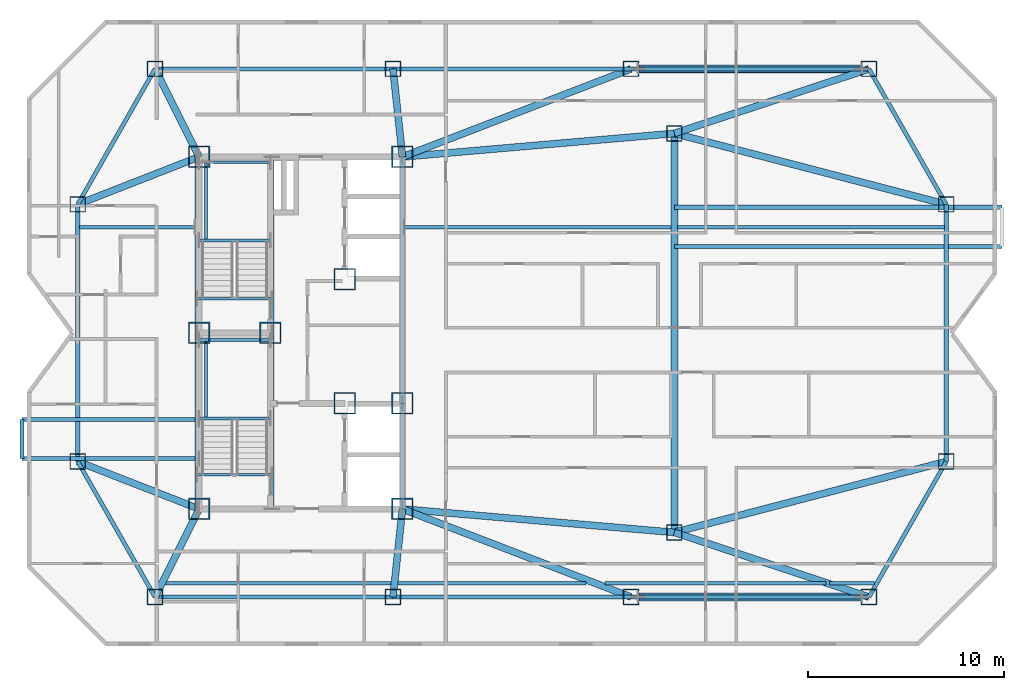
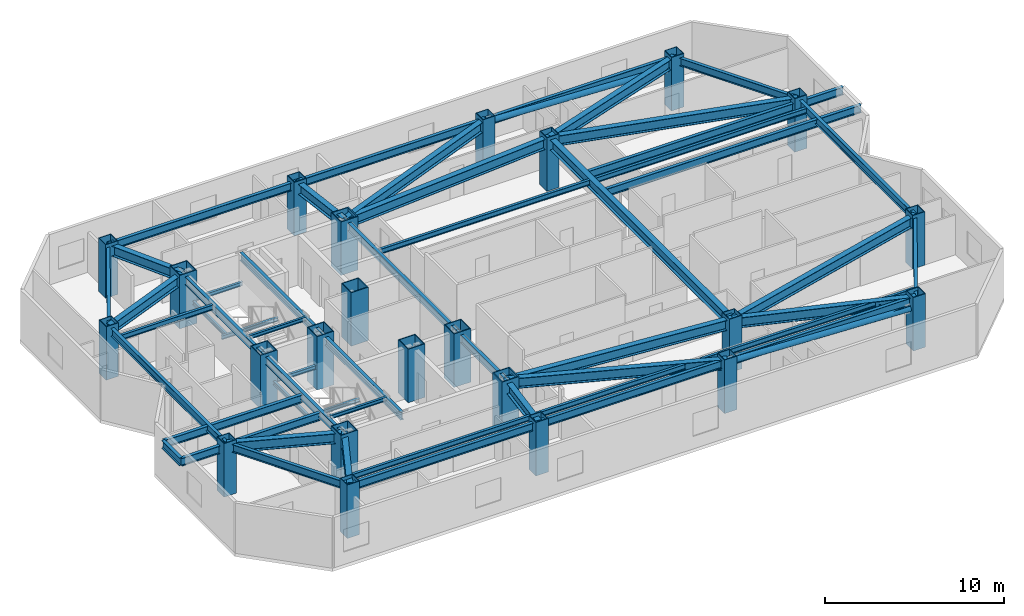
# One storey, part 1 of 9: 53 beams, 23 columns, 2 members.
"""IFC4 building model written with IfcOpenShell, lengths in metres."""

from ifc_helpers import new_model, si_unit, direction, frame, origin, origin_2d, place, context, subcontext, project, spatial, hollow_rectangle, hollow_circle, i_section, extrude, material, material_profile, profile_set, type_object, element, save


model = new_model("IFC4")

# Units and contexts
model_context = context("Model", 3, precision=1e-05, world=origin(), true_north=direction((0.0, 1.0)))
body_context = subcontext(model_context, "Body", "Model", "MODEL_VIEW")
ifc_project = project(units=[si_unit("LENGTHUNIT", "METRE"), si_unit("AREAUNIT", "SQUARE_METRE"), si_unit("VOLUMEUNIT", "CUBIC_METRE"), si_unit("PLANEANGLEUNIT", "RADIAN"), si_unit("MASSUNIT", "GRAM", prefix="KILO")], contexts=[model_context])

# Site, building, storey
site_placement = place(None, origin())
site = spatial("IfcSite", under=ifc_project, at=site_placement, CompositionType="ELEMENT")
building_placement = place(site_placement, origin())
building = spatial("IfcBuilding", under=site, at=building_placement, Name="Khamvora Tower", CompositionType="ELEMENT")
storey_placement = place(building_placement, frame((0.0, 0.0, 224.5)))
storey = spatial("IfcBuildingStorey", under=building, at=storey_placement, Name="L57", CompositionType="ELEMENT", Elevation=224.5)

# Columns
ifc_material_1 = material(Name="Steel S460", Category="steel")
ifc_material_profile_1 = material_profile(ifc_material_1, hollow_rectangle(XDim=1.10009765625, YDim=1.10009765625, WallThickness=0.054931640625, at=origin_2d()), Name="BOX1100x1100x55")
ifc_profile_set_1 = profile_set([ifc_material_profile_1], Name="Steel S460")
column_type_1 = type_object("IfcColumnType", Name="COL-BOX1100", PredefinedType="COLUMN", material=ifc_profile_set_1)
for number, where, z_axis, x_axis, name in (
    (1, (29.0, 19.0, 0.0), (0.0, 0.0, 1.0), (1.0, 0.0, 0.0), "L57 plumb core spine column SC1"),
    (2, (32.64990234375, 28.0, 0.0), (0.0, 0.0, 1.0), (1.0, 0.0, 0.0), "L57 plumb core spine column SC2"),
    (3, (39.39990234375, 19.0, 0.0), (0.0, 0.0, 1.0), (1.0, 0.0, 0.0), "L57 plumb core spine column SC3"),
    (4, (29.0, 28.0, 0.0), (0.0, 0.0, 1.0), (1.0, 0.0, 0.0), "L57 plumb core spine column SC4"),
    (5, (36.449951171875, 24.39990234375, 0.0), (0.0, 0.0, 1.0), (1.0, 0.0, 0.0), "L57 plumb core spine column SC5"),
    (6, (39.39990234375, 24.39990234375, 0.0), (0.0, 0.0, 1.0), (1.0, 0.0, 0.0), "L57 plumb core spine column SC6"),
    (7, (29.0, 37.0, 0.0), (0.0, 0.0, 1.0), (1.0, 0.0, 0.0), "L57 plumb core spine column SC7"),
    (8, (36.449951171875, 30.75, 0.0), (0.0, 0.0, 1.0), (1.0, 0.0, 0.0), "L57 plumb core spine column SC8"),
    (9, (39.39990234375, 37.0, 0.0), (0.0, 0.0, 1.0), (1.0, 0.0, 0.0), "L57 plumb core spine column SC9"),
):
    element("IfcColumn", number, at=place(storey_placement, frame(where, z_axis=z_axis, x_axis=x_axis)), inside=storey, type_object=column_type_1, Name=name, PredefinedType="COLUMN", context=body_context, shape_type="SweptSolid", body=[
        extrude(hollow_rectangle(XDim=1.10009765625, YDim=1.10009765625, WallThickness=0.054931640625, at=origin_2d()), origin(), (0.0, 0.0, 1.0), 3.64990234375),
    ])
ifc_material_2 = material(Name="Steel S355", Category="steel")
ifc_material_profile_2 = material_profile(ifc_material_2, hollow_rectangle(XDim=0.800048828125, YDim=0.800048828125, WallThickness=0.0400390625, at=origin_2d()), Name="BOX800x800x40")
ifc_profile_set_2 = profile_set([ifc_material_profile_2], Name="Steel S355")
column_type_2 = type_object("IfcColumnType", Name="COL-BOX800", PredefinedType="COLUMN", material=ifc_profile_set_2)
for number, where, z_axis, x_axis, name in (
    (10, (26.75, 14.5, 0.0), (0.0, 0.0, 1.0), (1.0, 0.0, 0.0), "L57 structural frame column S1"),
    (11, (38.9169921875, 14.5, 0.0), (0.0, 0.0, 1.0), (1.0, 0.0, 0.0), "L57 structural frame column S2"),
    (12, (51.0830078125, 14.5, 0.0), (0.0, 0.0, 1.0), (1.0, 0.0, 0.0), "L57 structural frame column S3"),
    (13, (63.25, 14.5, 0.0), (0.0, 0.0, 1.0), (1.0, 0.0, 0.0), "L57 structural frame column S4"),
    (14, (26.75, 41.5, 0.0), (0.0, 0.0, 1.0), (1.0, 0.0, 0.0), "L57 structural frame column N1"),
    (15, (38.9169921875, 41.5, 0.0), (0.0, 0.0, 1.0), (1.0, 0.0, 0.0), "L57 structural frame column N2"),
    (16, (51.0830078125, 41.5, 0.0), (0.0, 0.0, 1.0), (1.0, 0.0, 0.0), "L57 structural frame column N3"),
    (17, (63.25, 41.5, 0.0), (0.0, 0.0, 1.0), (1.0, 0.0, 0.0), "L57 structural frame column N4"),
    (18, (22.800048828125, 21.425048828125, 0.0), (0.0, 0.0, 1.0), (1.0, 0.0, 0.0), "L57 structural frame column W1"),
    (19, (22.800048828125, 34.574951171875, 0.0), (0.0, 0.0, 1.0), (1.0, 0.0, 0.0), "L57 structural frame column W2"),
    (20, (67.199951171875, 21.425048828125, 0.0), (0.0, 0.0, 1.0), (1.0, 0.0, 0.0), "L57 structural frame column E1"),
    (21, (67.199951171875, 34.574951171875, 0.0), (0.0, 0.0, 1.0), (1.0, 0.0, 0.0), "L57 structural frame column E2"),
    (22, (53.300048828125, 17.800048828125, 0.0), (0.0, 0.0, 1.0), (1.0, 0.0, 0.0), "L57 structural frame column M1"),
    (23, (53.300048828125, 38.199951171875, 0.0), (0.0, 0.0, 1.0), (1.0, 0.0, 0.0), "L57 structural frame column M2"),
):
    element("IfcColumn", number, at=place(storey_placement, frame(where, z_axis=z_axis, x_axis=x_axis)), inside=storey, type_object=column_type_2, Name=name, PredefinedType="COLUMN", context=body_context, shape_type="SweptSolid", body=[
        extrude(hollow_rectangle(XDim=0.800048828125, YDim=0.800048828125, WallThickness=0.0400390625, at=origin_2d()), origin(), (0.0, 0.0, 1.0), 3.64990234375),
    ])

# Beams
ifc_material_profile_3 = material_profile(ifc_material_2, i_section(OverallWidth=0.1708984375, OverallDepth=0.35498046875, WebThickness=0.007080078125, FlangeThickness=0.011962890625, FilletRadius=0.010009765625, at=origin_2d()), Name="W360x51")
ifc_profile_set_3 = profile_set([ifc_material_profile_3], Name="Steel S355")
beam_type_1 = type_object("IfcBeamType", Name="BM-JS-W360x51", PredefinedType="JOIST", material=ifc_profile_set_3)
beam_1_placement = place(storey_placement, frame((27.29296875, 15.199951171875, 3.251953125), z_axis=(1.0, 0.0, 0.0), x_axis=(0.0, 1.0, 0.0)))
element("IfcBeam", 24, at=beam_1_placement, inside=storey, type_object=beam_type_1, Name="L57 secondary floor joist 01", PredefinedType="JOIST", context=body_context, shape_type="SweptSolid", body=[
    extrude(i_section(OverallWidth=0.1708984375, OverallDepth=0.35498046875, WebThickness=0.007080078125, FlangeThickness=0.011962890625, FilletRadius=0.010009765625, at=origin_2d()), origin(), (0.0, 0.0, 1.0), 11.526123046875),
])
beam_2_placement = place(storey_placement, frame((39.166015625, 15.199951171875, 3.251953125), z_axis=(1.0, 0.0, 0.0), x_axis=(0.0, 1.0, 0.0)))
element("IfcBeam", 25, at=beam_2_placement, inside=storey, type_object=beam_type_1, Name="L57 secondary floor joist 02", PredefinedType="JOIST", context=body_context, shape_type="SweptSolid", body=[
    extrude(i_section(OverallWidth=0.1708984375, OverallDepth=0.35498046875, WebThickness=0.007080078125, FlangeThickness=0.011962890625, FilletRadius=0.010009765625, at=origin_2d()), origin(), (0.0, 0.0, 1.0), 9.611083984375),
])
beam_3_placement = place(storey_placement, frame((49.75390625, 15.199951171875, 3.251953125), z_axis=(1.0, 0.0, 0.0), x_axis=(0.0, 1.0, 0.0)))
element("IfcBeam", 26, at=beam_3_placement, inside=storey, type_object=beam_type_1, Name="L57 secondary floor joist 03", PredefinedType="JOIST", context=body_context, shape_type="SweptSolid", body=[
    extrude(i_section(OverallWidth=0.1708984375, OverallDepth=0.35498046875, WebThickness=0.007080078125, FlangeThickness=0.011962890625, FilletRadius=0.010009765625, at=origin_2d()), origin(), (0.0, 0.0, 1.0), 11.2900390625),
])
beam_4_placement = place(storey_placement, frame((61.23388671875, 15.199951171875, 3.251953125), z_axis=(1.0, 0.0, 0.0), x_axis=(0.0, 1.0, 0.0)))
element("IfcBeam", 27, at=beam_4_placement, inside=storey, type_object=beam_type_1, Name="L57 secondary floor joist 04", PredefinedType="JOIST", context=body_context, shape_type="SweptSolid", body=[
    extrude(i_section(OverallWidth=0.1708984375, OverallDepth=0.35498046875, WebThickness=0.007080078125, FlangeThickness=0.011962890625, FilletRadius=0.010009765625, at=origin_2d()), origin(), (0.0, 0.0, 1.0), 2.300048828125),
])
beam_5_placement = place(storey_placement, frame((22.89892578125, 33.39990234375, 3.251953125), z_axis=(1.0, 0.0, 0.0), x_axis=(0.0, 1.0, 0.0)))
element("IfcBeam", 28, at=beam_5_placement, inside=storey, type_object=beam_type_1, Name="L57 secondary floor joist 05", PredefinedType="JOIST", context=body_context, shape_type="SweptSolid", body=[
    extrude(i_section(OverallWidth=0.1708984375, OverallDepth=0.35498046875, WebThickness=0.007080078125, FlangeThickness=0.011962890625, FilletRadius=0.010009765625, at=origin_2d()), origin(), (0.0, 0.0, 1.0), 5.901123046875),
])
beam_6_placement = place(storey_placement, frame((39.4990234375, 33.39990234375, 3.251953125), z_axis=(1.0, 0.0, 0.0), x_axis=(0.0, 1.0, 0.0)))
element("IfcBeam", 29, at=beam_6_placement, inside=storey, type_object=beam_type_1, Name="L57 secondary floor joist 06", PredefinedType="JOIST", context=body_context, shape_type="SweptSolid", body=[
    extrude(i_section(OverallWidth=0.1708984375, OverallDepth=0.35498046875, WebThickness=0.007080078125, FlangeThickness=0.011962890625, FilletRadius=0.010009765625, at=origin_2d()), origin(), (0.0, 0.0, 1.0), 13.6279296875),
])
beam_7_placement = place(storey_placement, frame((53.471923828125, 33.39990234375, 3.251953125), z_axis=(1.0, 0.0, 0.0), x_axis=(0.0, 1.0, 0.0)))
element("IfcBeam", 30, at=beam_7_placement, inside=storey, type_object=beam_type_1, Name="L57 secondary floor joist 07", PredefinedType="JOIST", context=body_context, shape_type="SweptSolid", body=[
    extrude(i_section(OverallWidth=0.1708984375, OverallDepth=0.35498046875, WebThickness=0.007080078125, FlangeThickness=0.011962890625, FilletRadius=0.010009765625, at=origin_2d()), origin(), (0.0, 0.0, 1.0), 13.628173828125),
])
ifc_material_profile_4 = material_profile(ifc_material_2, i_section(OverallWidth=0.14697265625, OverallDepth=0.261962890625, WebThickness=0.007080078125, FlangeThickness=0.010986328125, FilletRadius=0.008056640625, at=origin_2d()), Name="W250x39")
ifc_profile_set_4 = profile_set([ifc_material_profile_4], Name="Steel S355")
beam_type_2 = type_object("IfcBeamType", Name="BM-LN-W250x39", PredefinedType="LINTEL", material=ifc_profile_set_4)
for number, where, z_axis, x_axis, name in (
    (31, (29.0, 23.635009765625, 1.493896484375), (1.0, 0.0, 0.0), (0.0, 1.0, 0.0), "L57 ST-01 half-landing support beam 1.1"),
    (32, (29.0, 27.6298828125, 1.493896484375), (1.0, 0.0, 0.0), (0.0, 1.0, 0.0), "L57 ST-01 half-landing support beam 1.2"),
):
    element("IfcBeam", number, at=place(storey_placement, frame(where, z_axis=z_axis, x_axis=x_axis)), inside=storey, type_object=beam_type_2, Name=name, PredefinedType="LINTEL", context=body_context, shape_type="SweptSolid", body=[
        extrude(i_section(OverallWidth=0.14697265625, OverallDepth=0.261962890625, WebThickness=0.007080078125, FlangeThickness=0.010986328125, FilletRadius=0.008056640625, at=origin_2d()), origin(), (0.0, 0.0, 1.0), 3.64990234375),
    ])
beam_8_placement = place(storey_placement, frame((29.35009765625, 23.635009765625, 1.493896484375), z_axis=(0.0, 1.0, 0.0), x_axis=(-1.0, 0.0, 0.0)))
element("IfcBeam", 33, at=beam_8_placement, inside=storey, type_object=beam_type_2, Name="L57 ST-01 half-landing edge stringer 1", PredefinedType="LINTEL", context=body_context, shape_type="SweptSolid", body=[
    extrude(i_section(OverallWidth=0.14697265625, OverallDepth=0.261962890625, WebThickness=0.007080078125, FlangeThickness=0.010986328125, FilletRadius=0.008056640625, at=origin_2d()), origin(), (0.0, 0.0, 1.0), 3.994873046875),
])
for number, where, z_axis, x_axis, name in (
    (34, (29.0, 32.735107421875, 1.493896484375), (1.0, 0.0, 0.0), (0.0, 1.0, 0.0), "L57 ST-02 half-landing support beam 1.1"),
    (35, (29.0, 36.72998046875, 1.493896484375), (1.0, 0.0, 0.0), (0.0, 1.0, 0.0), "L57 ST-02 half-landing support beam 1.2"),
):
    element("IfcBeam", number, at=place(storey_placement, frame(where, z_axis=z_axis, x_axis=x_axis)), inside=storey, type_object=beam_type_2, Name=name, PredefinedType="LINTEL", context=body_context, shape_type="SweptSolid", body=[
        extrude(i_section(OverallWidth=0.14697265625, OverallDepth=0.261962890625, WebThickness=0.007080078125, FlangeThickness=0.010986328125, FilletRadius=0.008056640625, at=origin_2d()), origin(), (0.0, 0.0, 1.0), 3.64990234375),
    ])
beam_9_placement = place(storey_placement, frame((29.35009765625, 32.735107421875, 1.493896484375), z_axis=(0.0, 1.0, 0.0), x_axis=(-1.0, 0.0, 0.0)))
element("IfcBeam", 36, at=beam_9_placement, inside=storey, type_object=beam_type_2, Name="L57 ST-02 half-landing edge stringer 1", PredefinedType="LINTEL", context=body_context, shape_type="SweptSolid", body=[
    extrude(i_section(OverallWidth=0.14697265625, OverallDepth=0.261962890625, WebThickness=0.007080078125, FlangeThickness=0.010986328125, FilletRadius=0.008056640625, at=origin_2d()), origin(), (0.0, 0.0, 1.0), 3.994873046875),
])
for number, where, z_axis, x_axis, name in (
    (37, (28.89990234375, 20.75, 3.303955078125), (1.0, 0.0, 0.0), (0.0, 1.0, 0.0), "L57 exit stair ST-01 landing trimmer beam"),
    (38, (28.89990234375, 29.75, 3.303955078125), (1.0, 0.0, 0.0), (0.0, 1.0, 0.0), "L57 exit stair ST-02 landing trimmer beam"),
):
    element("IfcBeam", number, at=place(storey_placement, frame(where, z_axis=z_axis, x_axis=x_axis)), inside=storey, type_object=beam_type_2, Name=name, PredefinedType="LINTEL", context=body_context, shape_type="SweptSolid", body=[
        extrude(i_section(OverallWidth=0.14697265625, OverallDepth=0.261962890625, WebThickness=0.007080078125, FlangeThickness=0.010986328125, FilletRadius=0.008056640625, at=origin_2d()), origin(), (0.0, 0.0, 1.0), 3.830078125),
    ])
ifc_material_profile_5 = material_profile(ifc_material_2, i_section(OverallWidth=0.35498046875, OverallDepth=0.695068359375, WebThickness=0.014892578125, FlangeThickness=0.02490234375, FilletRadius=0.01611328125, at=origin_2d()), Name="W690x217")
ifc_profile_set_5 = profile_set([ifc_material_profile_5], Name="Steel S355")
beam_type_3 = type_object("IfcBeamType", Name="BM-PG-W690x217", PredefinedType="BEAM", material=ifc_profile_set_5)
beam_10_placement = place(storey_placement, frame((53.300048828125, 17.800048828125, 3.0830078125), z_axis=(0.0, 1.0, 0.0), x_axis=(-1.0, 0.0, 0.0)))
element("IfcBeam", 39, at=beam_10_placement, inside=storey, type_object=beam_type_3, Name="L57 longitudinal frame girder M1-M2", PredefinedType="BEAM", context=body_context, shape_type="SweptSolid", body=[
    extrude(i_section(OverallWidth=0.35498046875, OverallDepth=0.695068359375, WebThickness=0.014892578125, FlangeThickness=0.02490234375, FilletRadius=0.01611328125, at=origin_2d()), origin(), (0.0, 0.0, 1.0), 20.39990234375),
])
beam_11_placement = place(storey_placement, frame((29.0, 19.0, 3.0830078125), z_axis=(-0.4472135955, -0.894427191, 0.0), x_axis=(0.894427191, -0.4472135955, 0.0)))
element("IfcBeam", 40, at=beam_11_placement, inside=storey, type_object=beam_type_3, Name="L57 primary floor girder S1", PredefinedType="BEAM", context=body_context, shape_type="SweptSolid", body=[
    extrude(i_section(OverallWidth=0.35498046875, OverallDepth=0.695068359375, WebThickness=0.014892578125, FlangeThickness=0.02490234375, FilletRadius=0.01611328125, at=origin_2d()), origin(), (0.0, 0.0, 1.0), 5.03125),
])
beam_12_placement = place(storey_placement, frame((39.39990234375, 19.0, 3.0830078125), z_axis=(-0.106700735484, -0.994291181218, 0.0), x_axis=(0.994291181218, -0.106700735484, 0.0)))
element("IfcBeam", 41, at=beam_12_placement, inside=storey, type_object=beam_type_3, Name="L57 primary floor girder S2", PredefinedType="BEAM", context=body_context, shape_type="SweptSolid", body=[
    extrude(i_section(OverallWidth=0.35498046875, OverallDepth=0.695068359375, WebThickness=0.014892578125, FlangeThickness=0.02490234375, FilletRadius=0.01611328125, at=origin_2d()), origin(), (0.0, 0.0, 1.0), 4.52587890625),
])
beam_13_placement = place(storey_placement, frame((39.39990234375, 19.0, 3.0830078125), z_axis=(0.933171601475, -0.359431164759, 0.0), x_axis=(0.359431164759, 0.933171601475, 0.0)))
element("IfcBeam", 42, at=beam_13_placement, inside=storey, type_object=beam_type_3, Name="L57 primary floor girder S3", PredefinedType="BEAM", context=body_context, shape_type="SweptSolid", body=[
    extrude(i_section(OverallWidth=0.35498046875, OverallDepth=0.695068359375, WebThickness=0.014892578125, FlangeThickness=0.02490234375, FilletRadius=0.01611328125, at=origin_2d()), origin(), (0.0, 0.0, 1.0), 12.519775390625),
])
beam_14_placement = place(storey_placement, frame((53.300048828125, 17.800048828125, 3.0830078125), z_axis=(0.949157330029, -0.314802101092, 0.0), x_axis=(0.314802101092, 0.949157330029, 0.0)))
element("IfcBeam", 43, at=beam_14_placement, inside=storey, type_object=beam_type_3, Name="L57 primary floor girder S4", PredefinedType="BEAM", context=body_context, shape_type="SweptSolid", body=[
    extrude(i_section(OverallWidth=0.35498046875, OverallDepth=0.695068359375, WebThickness=0.014892578125, FlangeThickness=0.02490234375, FilletRadius=0.01611328125, at=origin_2d()), origin(), (0.0, 0.0, 1.0), 10.48291015625),
])
beam_15_placement = place(storey_placement, frame((29.0, 37.0, 3.0830078125), z_axis=(-0.4472135955, 0.894427191, 0.0), x_axis=(-0.894427191, -0.4472135955, 0.0)))
element("IfcBeam", 44, at=beam_15_placement, inside=storey, type_object=beam_type_3, Name="L57 primary floor girder N1", PredefinedType="BEAM", context=body_context, shape_type="SweptSolid", body=[
    extrude(i_section(OverallWidth=0.35498046875, OverallDepth=0.695068359375, WebThickness=0.014892578125, FlangeThickness=0.02490234375, FilletRadius=0.01611328125, at=origin_2d()), origin(), (0.0, 0.0, 1.0), 5.03125),
])
beam_16_placement = place(storey_placement, frame((39.39990234375, 37.0, 3.0830078125), z_axis=(-0.106700735484, 0.994291181218, 0.0), x_axis=(-0.994291181218, -0.106700735484, 0.0)))
element("IfcBeam", 45, at=beam_16_placement, inside=storey, type_object=beam_type_3, Name="L57 primary floor girder N2", PredefinedType="BEAM", context=body_context, shape_type="SweptSolid", body=[
    extrude(i_section(OverallWidth=0.35498046875, OverallDepth=0.695068359375, WebThickness=0.014892578125, FlangeThickness=0.02490234375, FilletRadius=0.01611328125, at=origin_2d()), origin(), (0.0, 0.0, 1.0), 4.52587890625),
])
beam_17_placement = place(storey_placement, frame((39.39990234375, 37.0, 3.0830078125), z_axis=(0.933171601475, 0.359431164759, 0.0), x_axis=(-0.359431164759, 0.933171601475, 0.0)))
element("IfcBeam", 46, at=beam_17_placement, inside=storey, type_object=beam_type_3, Name="L57 primary floor girder N3", PredefinedType="BEAM", context=body_context, shape_type="SweptSolid", body=[
    extrude(i_section(OverallWidth=0.35498046875, OverallDepth=0.695068359375, WebThickness=0.014892578125, FlangeThickness=0.02490234375, FilletRadius=0.01611328125, at=origin_2d()), origin(), (0.0, 0.0, 1.0), 12.519775390625),
])
beam_18_placement = place(storey_placement, frame((53.300048828125, 38.199951171875, 3.0830078125), z_axis=(0.949157330029, 0.314802101092, 0.0), x_axis=(-0.314802101092, 0.949157330029, 0.0)))
element("IfcBeam", 47, at=beam_18_placement, inside=storey, type_object=beam_type_3, Name="L57 primary floor girder N4", PredefinedType="BEAM", context=body_context, shape_type="SweptSolid", body=[
    extrude(i_section(OverallWidth=0.35498046875, OverallDepth=0.695068359375, WebThickness=0.014892578125, FlangeThickness=0.02490234375, FilletRadius=0.01611328125, at=origin_2d()), origin(), (0.0, 0.0, 1.0), 10.48291015625),
])
for number, where, z_axis, x_axis, name in (
    (48, (29.0, 19.0, 3.0830078125), (-0.931294712743, 0.36426660294, 0.0), (-0.36426660294, -0.931294712743, 0.0), "L57 primary floor girder W1"),
    (49, (29.0, 37.0, 3.0830078125), (-0.931294712743, -0.36426660294, 0.0), (0.36426660294, -0.931294712743, 0.0), "L57 primary floor girder W2"),
):
    element("IfcBeam", number, at=place(storey_placement, frame(where, z_axis=z_axis, x_axis=x_axis)), inside=storey, type_object=beam_type_3, Name=name, PredefinedType="BEAM", context=body_context, shape_type="SweptSolid", body=[
        extrude(i_section(OverallWidth=0.35498046875, OverallDepth=0.695068359375, WebThickness=0.014892578125, FlangeThickness=0.02490234375, FilletRadius=0.01611328125, at=origin_2d()), origin(), (0.0, 0.0, 1.0), 6.6572265625),
    ])
for number, where, z_axis, x_axis, name in (
    (50, (53.300048828125, 17.800048828125, 3.0830078125), (0.967635318494, 0.252352710314, 0.0), (-0.252352710314, 0.967635318494, 0.0), "L57 primary floor girder E1"),
    (51, (53.300048828125, 38.199951171875, 3.0830078125), (0.967635318494, -0.252352710314, 0.0), (0.252352710314, 0.967635318494, 0.0), "L57 primary floor girder E2"),
):
    element("IfcBeam", number, at=place(storey_placement, frame(where, z_axis=z_axis, x_axis=x_axis)), inside=storey, type_object=beam_type_3, Name=name, PredefinedType="BEAM", context=body_context, shape_type="SweptSolid", body=[
        extrude(i_section(OverallWidth=0.35498046875, OverallDepth=0.695068359375, WebThickness=0.014892578125, FlangeThickness=0.02490234375, FilletRadius=0.01611328125, at=origin_2d()), origin(), (0.0, 0.0, 1.0), 14.36474609375),
    ])
for number, where, z_axis, x_axis, name in (
    (52, (39.39990234375, 19.0, 3.0830078125), (0.996294564212, -0.08600663534, 0.0), (0.08600663534, 0.996294564212, 0.0), "L57 primary floor girder M1"),
    (53, (39.39990234375, 37.0, 3.0830078125), (0.996294564212, 0.08600663534, 0.0), (-0.08600663534, 0.996294564212, 0.0), "L57 primary floor girder M2"),
):
    element("IfcBeam", number, at=place(storey_placement, frame(where, z_axis=z_axis, x_axis=x_axis)), inside=storey, type_object=beam_type_3, Name=name, PredefinedType="BEAM", context=body_context, shape_type="SweptSolid", body=[
        extrude(i_section(OverallWidth=0.35498046875, OverallDepth=0.695068359375, WebThickness=0.014892578125, FlangeThickness=0.02490234375, FilletRadius=0.01611328125, at=origin_2d()), origin(), (0.0, 0.0, 1.0), 13.951904296875),
    ])
ifc_material_profile_6 = material_profile(ifc_material_2, i_section(OverallWidth=0.208984375, OverallDepth=0.532958984375, WebThickness=0.010009765625, FlangeThickness=0.01611328125, FilletRadius=0.013916015625, at=origin_2d()), Name="W530x92")
ifc_profile_set_6 = profile_set([ifc_material_profile_6], Name="Steel S355")
beam_type_4 = type_object("IfcBeamType", Name="BM-SP-W530x92", PredefinedType="SPANDREL", material=ifc_profile_set_6)
beam_19_placement = place(storey_placement, frame((22.800048828125, 21.425048828125, 3.1630859375), z_axis=(0.495456118564, -0.868632968853, 0.0), x_axis=(0.868632968853, 0.495456118564, 0.0)))
element("IfcBeam", 54, at=beam_19_placement, inside=storey, type_object=beam_type_4, Name="L57 perimeter spandrel beam W1-S1", PredefinedType="SPANDREL", context=body_context, shape_type="SweptSolid", body=[
    extrude(i_section(OverallWidth=0.208984375, OverallDepth=0.532958984375, WebThickness=0.010009765625, FlangeThickness=0.01611328125, FilletRadius=0.013916015625, at=origin_2d()), origin(), (0.0, 0.0, 1.0), 7.972412109375),
])
beam_20_placement = place(storey_placement, frame((26.75, 14.5, 3.1630859375), z_axis=(1.0, 0.0, 0.0), x_axis=(0.0, 1.0, 0.0)))
element("IfcBeam", 55, at=beam_20_placement, inside=storey, type_object=beam_type_4, Name="L57 perimeter spandrel beam S1-S2", PredefinedType="SPANDREL", context=body_context, shape_type="SweptSolid", body=[
    extrude(i_section(OverallWidth=0.208984375, OverallDepth=0.532958984375, WebThickness=0.010009765625, FlangeThickness=0.01611328125, FilletRadius=0.013916015625, at=origin_2d()), origin(), (0.0, 0.0, 1.0), 12.1669921875),
])
beam_21_placement = place(storey_placement, frame((38.9169921875, 14.5, 3.1630859375), z_axis=(1.0, 0.0, 0.0), x_axis=(0.0, 1.0, 0.0)))
element("IfcBeam", 56, at=beam_21_placement, inside=storey, type_object=beam_type_4, Name="L57 perimeter spandrel beam S2-S3", PredefinedType="SPANDREL", context=body_context, shape_type="SweptSolid", body=[
    extrude(i_section(OverallWidth=0.208984375, OverallDepth=0.532958984375, WebThickness=0.010009765625, FlangeThickness=0.01611328125, FilletRadius=0.013916015625, at=origin_2d()), origin(), (0.0, 0.0, 1.0), 12.166015625),
])
beam_22_placement = place(storey_placement, frame((51.0830078125, 14.5, 3.1630859375), z_axis=(1.0, 0.0, 0.0), x_axis=(0.0, 1.0, 0.0)))
element("IfcBeam", 57, at=beam_22_placement, inside=storey, type_object=beam_type_4, Name="L57 perimeter spandrel beam S3-S4", PredefinedType="SPANDREL", context=body_context, shape_type="SweptSolid", body=[
    extrude(i_section(OverallWidth=0.208984375, OverallDepth=0.532958984375, WebThickness=0.010009765625, FlangeThickness=0.01611328125, FilletRadius=0.013916015625, at=origin_2d()), origin(), (0.0, 0.0, 1.0), 12.1669921875),
])
beam_23_placement = place(storey_placement, frame((63.25, 14.5, 3.1630859375), z_axis=(0.495456118564, 0.868632968853, 0.0), x_axis=(-0.868632968853, 0.495456118564, 0.0)))
element("IfcBeam", 58, at=beam_23_placement, inside=storey, type_object=beam_type_4, Name="L57 perimeter spandrel beam S4-E1", PredefinedType="SPANDREL", context=body_context, shape_type="SweptSolid", body=[
    extrude(i_section(OverallWidth=0.208984375, OverallDepth=0.532958984375, WebThickness=0.010009765625, FlangeThickness=0.01611328125, FilletRadius=0.013916015625, at=origin_2d()), origin(), (0.0, 0.0, 1.0), 7.972412109375),
])
beam_24_placement = place(storey_placement, frame((67.199951171875, 21.425048828125, 3.1630859375), z_axis=(0.0, 1.0, 0.0), x_axis=(-1.0, 0.0, 0.0)))
element("IfcBeam", 59, at=beam_24_placement, inside=storey, type_object=beam_type_4, Name="L57 perimeter spandrel beam E1-E2", PredefinedType="SPANDREL", context=body_context, shape_type="SweptSolid", body=[
    extrude(i_section(OverallWidth=0.208984375, OverallDepth=0.532958984375, WebThickness=0.010009765625, FlangeThickness=0.01611328125, FilletRadius=0.013916015625, at=origin_2d()), origin(), (0.0, 0.0, 1.0), 13.14990234375),
])
beam_25_placement = place(storey_placement, frame((67.199951171875, 34.574951171875, 3.1630859375), z_axis=(-0.495456118564, 0.868632968853, 0.0), x_axis=(-0.868632968853, -0.495456118564, 0.0)))
element("IfcBeam", 60, at=beam_25_placement, inside=storey, type_object=beam_type_4, Name="L57 perimeter spandrel beam E2-N4", PredefinedType="SPANDREL", context=body_context, shape_type="SweptSolid", body=[
    extrude(i_section(OverallWidth=0.208984375, OverallDepth=0.532958984375, WebThickness=0.010009765625, FlangeThickness=0.01611328125, FilletRadius=0.013916015625, at=origin_2d()), origin(), (0.0, 0.0, 1.0), 7.972412109375),
])
beam_26_placement = place(storey_placement, frame((63.25, 41.5, 3.1630859375), z_axis=(-1.0, 0.0, 0.0), x_axis=(0.0, -1.0, 0.0)))
element("IfcBeam", 61, at=beam_26_placement, inside=storey, type_object=beam_type_4, Name="L57 perimeter spandrel beam N4-N3", PredefinedType="SPANDREL", context=body_context, shape_type="SweptSolid", body=[
    extrude(i_section(OverallWidth=0.208984375, OverallDepth=0.532958984375, WebThickness=0.010009765625, FlangeThickness=0.01611328125, FilletRadius=0.013916015625, at=origin_2d()), origin(), (0.0, 0.0, 1.0), 12.1669921875),
])
beam_27_placement = place(storey_placement, frame((51.0830078125, 41.5, 3.1630859375), z_axis=(-1.0, 0.0, 0.0), x_axis=(0.0, -1.0, 0.0)))
element("IfcBeam", 62, at=beam_27_placement, inside=storey, type_object=beam_type_4, Name="L57 perimeter spandrel beam N3-N2", PredefinedType="SPANDREL", context=body_context, shape_type="SweptSolid", body=[
    extrude(i_section(OverallWidth=0.208984375, OverallDepth=0.532958984375, WebThickness=0.010009765625, FlangeThickness=0.01611328125, FilletRadius=0.013916015625, at=origin_2d()), origin(), (0.0, 0.0, 1.0), 12.166015625),
])
beam_28_placement = place(storey_placement, frame((38.9169921875, 41.5, 3.1630859375), z_axis=(-1.0, 0.0, 0.0), x_axis=(0.0, -1.0, 0.0)))
element("IfcBeam", 63, at=beam_28_placement, inside=storey, type_object=beam_type_4, Name="L57 perimeter spandrel beam N2-N1", PredefinedType="SPANDREL", context=body_context, shape_type="SweptSolid", body=[
    extrude(i_section(OverallWidth=0.208984375, OverallDepth=0.532958984375, WebThickness=0.010009765625, FlangeThickness=0.01611328125, FilletRadius=0.013916015625, at=origin_2d()), origin(), (0.0, 0.0, 1.0), 12.1669921875),
])
beam_29_placement = place(storey_placement, frame((26.75, 41.5, 3.1630859375), z_axis=(-0.495456118564, -0.868632968853, 0.0), x_axis=(0.868632968853, -0.495456118564, 0.0)))
element("IfcBeam", 64, at=beam_29_placement, inside=storey, type_object=beam_type_4, Name="L57 perimeter spandrel beam N1-W2", PredefinedType="SPANDREL", context=body_context, shape_type="SweptSolid", body=[
    extrude(i_section(OverallWidth=0.208984375, OverallDepth=0.532958984375, WebThickness=0.010009765625, FlangeThickness=0.01611328125, FilletRadius=0.013916015625, at=origin_2d()), origin(), (0.0, 0.0, 1.0), 7.972412109375),
])
beam_30_placement = place(storey_placement, frame((22.800048828125, 34.574951171875, 3.1630859375), z_axis=(0.0, -1.0, 0.0), x_axis=(1.0, 0.0, 0.0)))
element("IfcBeam", 65, at=beam_30_placement, inside=storey, type_object=beam_type_4, Name="L57 perimeter spandrel beam W2-W1", PredefinedType="SPANDREL", context=body_context, shape_type="SweptSolid", body=[
    extrude(i_section(OverallWidth=0.208984375, OverallDepth=0.532958984375, WebThickness=0.010009765625, FlangeThickness=0.01611328125, FilletRadius=0.013916015625, at=origin_2d()), origin(), (0.0, 0.0, 1.0), 13.14990234375),
])
for number, where, z_axis, x_axis, name in (
    (66, (28.89990234375, 19.0, 3.1630859375), (0.0, 1.0, 0.0), (-1.0, 0.0, 0.0), "L57 core spine girder WS"),
    (67, (28.89990234375, 28.0, 3.1630859375), (0.0, 1.0, 0.0), (-1.0, 0.0, 0.0), "L57 core spine girder WN"),
    (68, (32.72998046875, 19.0, 3.1630859375), (0.0, 1.0, 0.0), (-1.0, 0.0, 0.0), "L57 core spine girder M1S"),
    (69, (32.72998046875, 28.0, 3.1630859375), (0.0, 1.0, 0.0), (-1.0, 0.0, 0.0), "L57 core spine girder M1N"),
):
    element("IfcBeam", number, at=place(storey_placement, frame(where, z_axis=z_axis, x_axis=x_axis)), inside=storey, type_object=beam_type_4, Name=name, PredefinedType="SPANDREL", context=body_context, shape_type="SweptSolid", body=[
        extrude(i_section(OverallWidth=0.208984375, OverallDepth=0.532958984375, WebThickness=0.010009765625, FlangeThickness=0.01611328125, FilletRadius=0.013916015625, at=origin_2d()), origin(), (0.0, 0.0, 1.0), 9.0),
    ])
beam_31_placement = place(storey_placement, frame((39.39990234375, 19.0, 3.1630859375), z_axis=(0.0, 1.0, 0.0), x_axis=(-1.0, 0.0, 0.0)))
element("IfcBeam", 70, at=beam_31_placement, inside=storey, type_object=beam_type_4, Name="L57 core spine girder ES", PredefinedType="SPANDREL", context=body_context, shape_type="SweptSolid", body=[
    extrude(i_section(OverallWidth=0.208984375, OverallDepth=0.532958984375, WebThickness=0.010009765625, FlangeThickness=0.01611328125, FilletRadius=0.013916015625, at=origin_2d()), origin(), (0.0, 0.0, 1.0), 5.39990234375),
])
beam_32_placement = place(storey_placement, frame((39.39990234375, 24.39990234375, 3.1630859375), z_axis=(0.0, 1.0, 0.0), x_axis=(-1.0, 0.0, 0.0)))
element("IfcBeam", 71, at=beam_32_placement, inside=storey, type_object=beam_type_4, Name="L57 core spine girder EN", PredefinedType="SPANDREL", context=body_context, shape_type="SweptSolid", body=[
    extrude(i_section(OverallWidth=0.208984375, OverallDepth=0.532958984375, WebThickness=0.010009765625, FlangeThickness=0.01611328125, FilletRadius=0.013916015625, at=origin_2d()), origin(), (0.0, 0.0, 1.0), 12.60009765625),
])
for number, where, z_axis, x_axis, name in (
    (72, (53.300048828125, 32.425048828125, 2.962890625), (1.0, 0.0, 0.0), (0.0, 1.0, 0.0), "L57 continuous gallery cantilever girder L58-EL2-1"),
    (73, (53.300048828125, 34.425048828125, 2.962890625), (1.0, 0.0, 0.0), (0.0, 1.0, 0.0), "L57 continuous gallery cantilever girder L58-EL2-2"),
):
    element("IfcBeam", number, at=place(storey_placement, frame(where, z_axis=z_axis, x_axis=x_axis)), inside=storey, type_object=beam_type_4, Name=name, PredefinedType="SPANDREL", context=body_context, shape_type="SweptSolid", body=[
        extrude(i_section(OverallWidth=0.208984375, OverallDepth=0.532958984375, WebThickness=0.010009765625, FlangeThickness=0.01611328125, FilletRadius=0.013916015625, at=origin_2d()), origin(), (0.0, 0.0, 1.0), 16.75),
    ])
for number, where, z_axis, x_axis, name in (
    (74, (29.0, 21.574951171875, 2.962890625), (-1.0, 0.0, 0.0), (0.0, -1.0, 0.0), "L57 continuous gallery cantilever girder L58-WL1-1"),
    (75, (29.0, 23.574951171875, 2.962890625), (-1.0, 0.0, 0.0), (0.0, -1.0, 0.0), "L57 continuous gallery cantilever girder L58-WL1-2"),
):
    element("IfcBeam", number, at=place(storey_placement, frame(where, z_axis=z_axis, x_axis=x_axis)), inside=storey, type_object=beam_type_4, Name=name, PredefinedType="SPANDREL", context=body_context, shape_type="SweptSolid", body=[
        extrude(i_section(OverallWidth=0.208984375, OverallDepth=0.532958984375, WebThickness=0.010009765625, FlangeThickness=0.01611328125, FilletRadius=0.013916015625, at=origin_2d()), origin(), (0.0, 0.0, 1.0), 9.050048828125),
    ])
beam_33_placement = place(storey_placement, frame((19.949951171875, 21.574951171875, 2.962890625), z_axis=(0.0, 1.0, 0.0), x_axis=(-1.0, 0.0, 0.0)))
element("IfcBeam", 76, at=beam_33_placement, inside=storey, type_object=beam_type_4, Name="L57 external gallery edge header beam L58-WL1", PredefinedType="SPANDREL", context=body_context, shape_type="SweptSolid", body=[
    extrude(i_section(OverallWidth=0.208984375, OverallDepth=0.532958984375, WebThickness=0.010009765625, FlangeThickness=0.01611328125, FilletRadius=0.013916015625, at=origin_2d()), origin(), (0.0, 0.0, 1.0), 2.0),
])

# Members
ifc_material_profile_7 = material_profile(ifc_material_2, hollow_circle(Radius=0.202880859375, WallThickness=0.01611328125, at=origin_2d()), Name="CHS406x16")
ifc_profile_set_7 = profile_set([ifc_material_profile_7], Name="Steel S355")
member_type = type_object("IfcMemberType", Name="MEM-BR-CHS406", PredefinedType="BRACE", material=ifc_profile_set_7)
for number, where, z_axis, x_axis, name in (
    (77, (62.8701171875, 14.5, 2.695068359375), (-0.999212836813, 0.0, 0.039669972868), (0.0, -1.0, 0.0), "L57 perimeter wind brace 1"),
    (78, (62.8701171875, 41.5, 2.695068359375), (-0.999212836813, 0.0, 0.039669972868), (0.0, -1.0, 0.0), "L57 perimeter wind brace 2"),
):
    element("IfcMember", number, at=place(storey_placement, frame(where, z_axis=z_axis, x_axis=x_axis)), inside=storey, type_object=member_type, Name=name, PredefinedType="BRACE", context=body_context, shape_type="SweptSolid", body=[
        extrude(hollow_circle(Radius=0.202880859375, WallThickness=0.01611328125, at=origin_2d()), origin(), (0.0, 0.0, 1.0), 11.416259765625),
    ])

save(model, "model.ifc")
